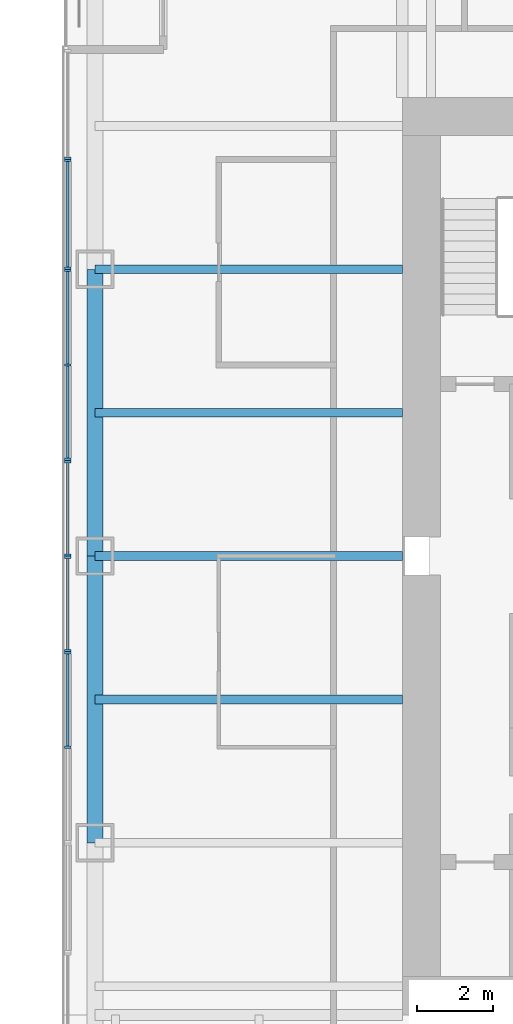
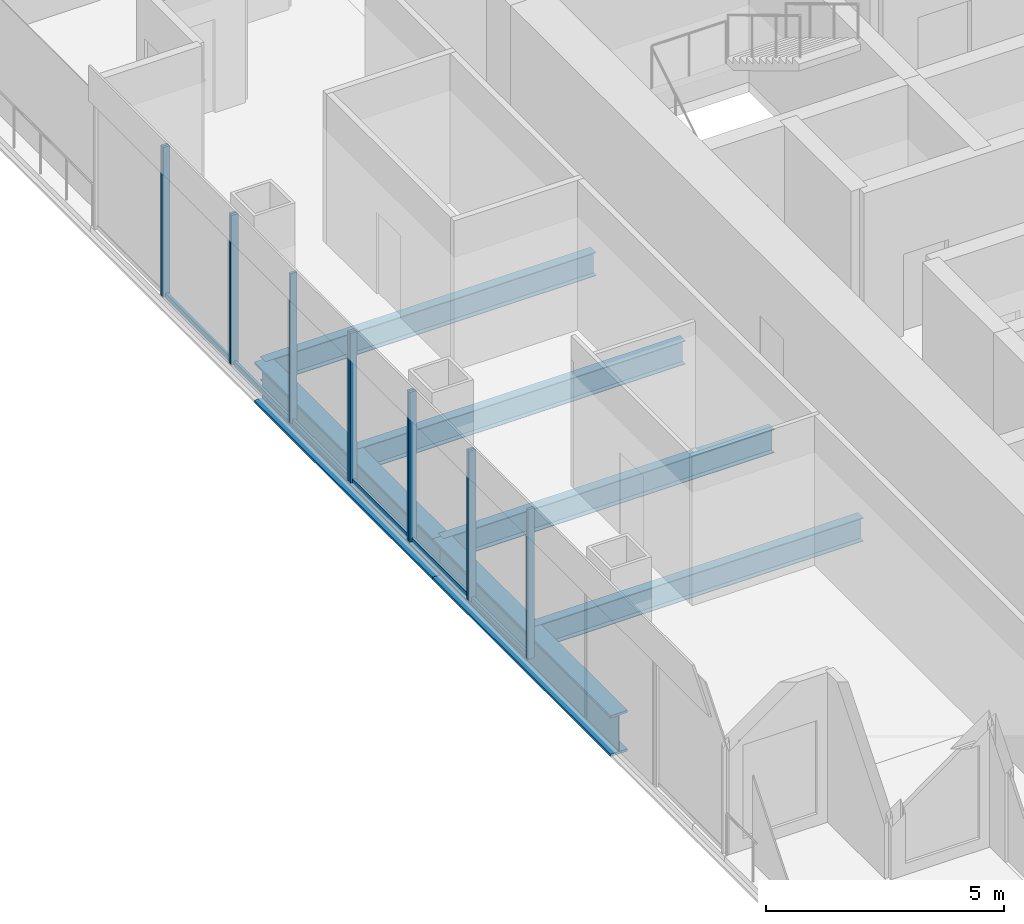
# One storey, part 4 of 14: 18 members, 6 beams, 6 elements without a shape of their own.
"""IFC4 building model written with IfcOpenShell, lengths in metres."""

from ifc_helpers import new_model, si_unit, direction, frame, origin, origin_2d, place, context, subcontext, project, spatial, rectangle, i_section, extrude, material, material_profile, profile_set, type_object, element, aggregate, save


model = new_model("IFC4")

# Units and contexts
model_context = context("Model", 3, precision=1e-05, world=origin(), true_north=direction((0.0, 1.0)))
body_context = subcontext(model_context, "Body", "Model", "MODEL_VIEW")
ifc_project = project(units=[si_unit("LENGTHUNIT", "METRE"), si_unit("AREAUNIT", "SQUARE_METRE"), si_unit("VOLUMEUNIT", "CUBIC_METRE"), si_unit("PLANEANGLEUNIT", "RADIAN"), si_unit("MASSUNIT", "GRAM", prefix="KILO")], contexts=[model_context])

# Site, building, storey
site_placement = place(None, origin())
site = spatial("IfcSite", under=ifc_project, at=site_placement, CompositionType="ELEMENT")
building_placement = place(site_placement, origin())
building = spatial("IfcBuilding", under=site, at=building_placement, Name="Tarangal Relay Tower", CompositionType="ELEMENT")
storey_placement = place(building_placement, frame((0.0, 0.0, 271.89990234375)))
storey = spatial("IfcBuildingStorey", under=building, at=storey_placement, Name="L59", CompositionType="ELEMENT", Elevation=271.89990234375)

# Beams
ifc_material_1 = material(Name="Steel ASTM A992", Category="steel")
ifc_material_profile_1 = material_profile(ifc_material_1, i_section(OverallWidth=0.41162109375, OverallDepth=1.049072265625, WebThickness=0.033935546875, FlangeThickness=0.059814453125, at=origin_2d()), Name="W40X431")
ifc_profile_set_1 = profile_set([ifc_material_profile_1], Name="Steel ASTM A992")
beam_type_1 = type_object("IfcBeamType", Name="Edge girder W40X431", PredefinedType="SPANDREL", material=ifc_profile_set_1)
for number, where, z_axis, x_axis, name in (
    (1, (-20.0400390625, -7.5, -0.67431640625), (0.0, 1.0, 0.0), (-1.0, 0.0, 0.0), "Edge girder EG1 W L59"),
    (2, (-20.0400390625, 0.0, -0.67431640625), (0.0, 1.0, 0.0), (-1.0, 0.0, 0.0), "Edge girder EG1 W L59"),
):
    element("IfcBeam", number, at=place(storey_placement, frame(where, z_axis=z_axis, x_axis=x_axis)), inside=storey, type_object=beam_type_1, Name=name, PredefinedType="SPANDREL", context=body_context, shape_type="SweptSolid", body=[
        extrude(i_section(OverallWidth=0.41162109375, OverallDepth=1.049072265625, WebThickness=0.033935546875, FlangeThickness=0.059814453125, at=origin_2d()), origin(), (0.0, 0.0, 1.0), 7.5),
    ])
ifc_material_profile_2 = material_profile(ifc_material_1, i_section(OverallWidth=0.228271484375, OverallDepth=0.607177734375, WebThickness=0.01123046875, FlangeThickness=0.017333984375, at=origin_2d()), Name="W24X76")
ifc_profile_set_2 = profile_set([ifc_material_profile_2], Name="Steel ASTM A992")
beam_type_2 = type_object("IfcBeamType", Name="Floor beam W24X76", PredefinedType="BEAM", material=ifc_profile_set_2)
for number, where, z_axis, x_axis, name in (
    (3, (-12.0, -3.75, -0.453369140625), (-1.0, 0.0, 0.0), (0.0, -1.0, 0.0), "Floor beam RB5 W L59"),
    (4, (-12.0, 0.0, -0.453369140625), (-1.0, 0.0, 0.0), (0.0, -1.0, 0.0), "Floor beam RB5 W L59"),
    (5, (-12.0, 3.75, -0.453369140625), (-1.0, 0.0, 0.0), (0.0, -1.0, 0.0), "Floor beam RB5 W L59"),
    (6, (-12.0, 7.5, -0.453369140625), (-1.0, 0.0, 0.0), (0.0, -1.0, 0.0), "Floor beam RB5 W L59"),
):
    element("IfcBeam", number, at=place(storey_placement, frame(where, z_axis=z_axis, x_axis=x_axis)), inside=storey, type_object=beam_type_2, Name=name, PredefinedType="BEAM", context=body_context, shape_type="SweptSolid", body=[
        extrude(i_section(OverallWidth=0.228271484375, OverallDepth=0.607177734375, WebThickness=0.01123046875, FlangeThickness=0.017333984375, at=origin_2d()), origin(), (0.0, 0.0, 1.0), 8.0400390625),
    ])

# Curtain wall, members
ifc_material_2 = material(Name="Unitised curtain wall, dark glass and black aluminium", Category="aluminium")
curtain_wall_type_1 = type_object("IfcCurtainWallType", Name="Curtain wall CW-B", PredefinedType="USERDEFINED", material=ifc_material_2)
curtain_wall_1_placement = place(storey_placement, origin())
curtain_wall_1 = element("IfcCurtainWall", 7, at=curtain_wall_1_placement, inside=storey, type_object=curtain_wall_type_1, Name="Curtain wall CW-B W facade L59", ObjectType="UNITISED CURTAIN WALL", PredefinedType="USERDEFINED")
ifc_material_3 = material(Name="Black anodised aluminium mullion", Category="aluminium")
ifc_material_profile_3 = material_profile(ifc_material_3, rectangle(XDim=0.159912109375, YDim=0.06005859375, at=origin_2d()), Name="CW-BM 60X160")
ifc_profile_set_3 = profile_set([ifc_material_profile_3], Name="Black anodised aluminium mullion")
member_type_1 = type_object("IfcMemberType", Name="Mullion CW-B 60 x 160", PredefinedType="MULLION", material=ifc_profile_set_3)
member_1_placement = place(storey_placement, frame((-20.75, -2.469970703125, 0.0), z_axis=(0.0, 0.0, 1.0), x_axis=(-1.0, 0.0, 0.0)))
member_1 = element("IfcMember", 8, at=member_1_placement, type_object=member_type_1, Name="CW-B mullion 1", PredefinedType="MULLION", context=body_context, shape_type="SweptSolid", body=[
    extrude(rectangle(XDim=0.159912109375, YDim=0.06005859375, at=origin_2d()), origin(), (0.0, 0.0, 1.0), 3.85009765625),
])
member_2_placement = place(storey_placement, frame((-20.75, -0.030029296875, 0.0), z_axis=(0.0, 0.0, 1.0), x_axis=(-1.0, 0.0, 0.0)))
member_2 = element("IfcMember", 9, at=member_2_placement, type_object=member_type_1, Name="CW-B mullion 2", PredefinedType="MULLION", context=body_context, shape_type="SweptSolid", body=[
    extrude(rectangle(XDim=0.159912109375, YDim=0.06005859375, at=origin_2d()), origin(), (0.0, 0.0, 1.0), 3.85009765625),
])

curtain_wall_2_placement = place(storey_placement, origin())
curtain_wall_2 = element("IfcCurtainWall", 10, at=curtain_wall_2_placement, inside=storey, type_object=curtain_wall_type_1, Name="Curtain wall CW-B W facade L59", ObjectType="UNITISED CURTAIN WALL", PredefinedType="USERDEFINED")
member_3_placement = place(storey_placement, frame((-20.75, 0.030029296875, 0.0), z_axis=(0.0, 0.0, 1.0), x_axis=(-1.0, 0.0, 0.0)))
member_3 = element("IfcMember", 11, at=member_3_placement, type_object=member_type_1, Name="CW-B mullion 1", PredefinedType="MULLION", context=body_context, shape_type="SweptSolid", body=[
    extrude(rectangle(XDim=0.159912109375, YDim=0.06005859375, at=origin_2d()), origin(), (0.0, 0.0, 1.0), 3.85009765625),
])
member_4_placement = place(storey_placement, frame((-20.75, 2.469970703125, 0.0), z_axis=(0.0, 0.0, 1.0), x_axis=(-1.0, 0.0, 0.0)))
member_4 = element("IfcMember", 12, at=member_4_placement, type_object=member_type_1, Name="CW-B mullion 2", PredefinedType="MULLION", context=body_context, shape_type="SweptSolid", body=[
    extrude(rectangle(XDim=0.159912109375, YDim=0.06005859375, at=origin_2d()), origin(), (0.0, 0.0, 1.0), 3.85009765625),
])

# Curtain wall, member
curtain_wall_3_placement = place(storey_placement, origin())
curtain_wall_3 = element("IfcCurtainWall", 13, at=curtain_wall_3_placement, inside=storey, type_object=curtain_wall_type_1, Name="Curtain wall CW-B W facade L59", ObjectType="UNITISED CURTAIN WALL", PredefinedType="USERDEFINED")
member_5_placement = place(storey_placement, frame((-20.75, 10.405029296875, 0.0), z_axis=(0.0, 0.0, 1.0), x_axis=(-1.0, 0.0, 0.0)))
member_5 = element("IfcMember", 14, at=member_5_placement, type_object=member_type_1, Name="CW-B mullion 1", PredefinedType="MULLION", context=body_context, shape_type="SweptSolid", body=[
    extrude(rectangle(XDim=0.159912109375, YDim=0.06005859375, at=origin_2d()), origin(), (0.0, 0.0, 1.0), 3.85009765625),
])
aggregate(curtain_wall_3, [member_5])

# Curtain wall, members
ifc_material_4 = material(Name="Unitised curtain wall frame, black aluminium, with metal clad infill walls", Category="aluminium")
curtain_wall_type_2 = type_object("IfcCurtainWallType", Name="Curtain wall CW-BO", PredefinedType="USERDEFINED", material=ifc_material_4)
curtain_wall_4_placement = place(storey_placement, origin())
curtain_wall_4 = element("IfcCurtainWall", 15, at=curtain_wall_4_placement, inside=storey, type_object=curtain_wall_type_2, Name="Curtain wall CW-BO W facade L59", ObjectType="UNITISED CURTAIN WALL", PredefinedType="USERDEFINED")
ifc_material_profile_4 = material_profile(ifc_material_3, rectangle(XDim=0.159912109375, YDim=0.06005859375, at=origin_2d()), Name="CW-BOM 60X160")
ifc_profile_set_4 = profile_set([ifc_material_profile_4], Name="Black anodised aluminium mullion")
member_type_2 = type_object("IfcMemberType", Name="Mullion CW-BO 60 x 160", PredefinedType="MULLION", material=ifc_profile_set_4)
member_6_placement = place(storey_placement, frame((-20.75, -5.0, 0.0), z_axis=(0.0, 0.0, 1.0), x_axis=(-1.0, 0.0, 0.0)))
member_6 = element("IfcMember", 16, at=member_6_placement, type_object=member_type_2, Name="CW-BO mullion 2", PredefinedType="MULLION", context=body_context, shape_type="SweptSolid", body=[
    extrude(rectangle(XDim=0.159912109375, YDim=0.06005859375, at=origin_2d()), origin(), (0.0, 0.0, 1.0), 3.85009765625),
])
member_7_placement = place(storey_placement, frame((-20.75, -2.530029296875, 0.0), z_axis=(0.0, 0.0, 1.0), x_axis=(-1.0, 0.0, 0.0)))
member_7 = element("IfcMember", 17, at=member_7_placement, type_object=member_type_2, Name="CW-BO mullion 3", PredefinedType="MULLION", context=body_context, shape_type="SweptSolid", body=[
    extrude(rectangle(XDim=0.159912109375, YDim=0.06005859375, at=origin_2d()), origin(), (0.0, 0.0, 1.0), 3.85009765625),
])

curtain_wall_5_placement = place(storey_placement, origin())
curtain_wall_5 = element("IfcCurtainWall", 18, at=curtain_wall_5_placement, inside=storey, type_object=curtain_wall_type_2, Name="Curtain wall CW-BO W facade L59", ObjectType="UNITISED CURTAIN WALL", PredefinedType="USERDEFINED")
member_8_placement = place(storey_placement, frame((-20.75, 2.530029296875, 0.0), z_axis=(0.0, 0.0, 1.0), x_axis=(-1.0, 0.0, 0.0)))
member_8 = element("IfcMember", 19, at=member_8_placement, type_object=member_type_2, Name="CW-BO mullion 1", PredefinedType="MULLION", context=body_context, shape_type="SweptSolid", body=[
    extrude(rectangle(XDim=0.159912109375, YDim=0.06005859375, at=origin_2d()), origin(), (0.0, 0.0, 1.0), 3.85009765625),
])
member_9_placement = place(storey_placement, frame((-20.75, 5.0, 0.0), z_axis=(0.0, 0.0, 1.0), x_axis=(-1.0, 0.0, 0.0)))
member_9 = element("IfcMember", 20, at=member_9_placement, type_object=member_type_2, Name="CW-BO mullion 2", PredefinedType="MULLION", context=body_context, shape_type="SweptSolid", body=[
    extrude(rectangle(XDim=0.159912109375, YDim=0.06005859375, at=origin_2d()), origin(), (0.0, 0.0, 1.0), 3.85009765625),
])
member_10_placement = place(storey_placement, frame((-20.75, 7.469970703125, 0.0), z_axis=(0.0, 0.0, 1.0), x_axis=(-1.0, 0.0, 0.0)))
member_10 = element("IfcMember", 21, at=member_10_placement, type_object=member_type_2, Name="CW-BO mullion 3", PredefinedType="MULLION", context=body_context, shape_type="SweptSolid", body=[
    extrude(rectangle(XDim=0.159912109375, YDim=0.06005859375, at=origin_2d()), origin(), (0.0, 0.0, 1.0), 3.85009765625),
])

curtain_wall_6_placement = place(storey_placement, origin())
curtain_wall_6 = element("IfcCurtainWall", 22, at=curtain_wall_6_placement, inside=storey, type_object=curtain_wall_type_2, Name="Curtain wall CW-BO W facade L59", ObjectType="UNITISED CURTAIN WALL", PredefinedType="USERDEFINED")
member_11_placement = place(storey_placement, frame((-20.75, 7.530029296875, 0.0), z_axis=(0.0, 0.0, 1.0), x_axis=(-1.0, 0.0, 0.0)))
member_11 = element("IfcMember", 23, at=member_11_placement, type_object=member_type_2, Name="CW-BO mullion 1", PredefinedType="MULLION", context=body_context, shape_type="SweptSolid", body=[
    extrude(rectangle(XDim=0.159912109375, YDim=0.06005859375, at=origin_2d()), origin(), (0.0, 0.0, 1.0), 3.85009765625),
])
member_12_placement = place(storey_placement, frame((-20.75, 10.344970703125, 0.0), z_axis=(0.0, 0.0, 1.0), x_axis=(-1.0, 0.0, 0.0)))
member_12 = element("IfcMember", 24, at=member_12_placement, type_object=member_type_2, Name="CW-BO mullion 2", PredefinedType="MULLION", context=body_context, shape_type="SweptSolid", body=[
    extrude(rectangle(XDim=0.159912109375, YDim=0.06005859375, at=origin_2d()), origin(), (0.0, 0.0, 1.0), 3.85009765625),
])

# Member
ifc_material_5 = material(Name="Black anodised aluminium transom", Category="aluminium")
ifc_material_profile_5 = material_profile(ifc_material_5, rectangle(XDim=0.06005859375, YDim=0.1298828125, at=origin_2d()), Name="CW-BT 60X130")
ifc_profile_set_5 = profile_set([ifc_material_profile_5], Name="Black anodised aluminium transom")
member_type_3 = type_object("IfcMemberType", Name="Transom CW-B 60 x 130", PredefinedType="USERDEFINED", material=ifc_profile_set_5)
member_13_placement = place(storey_placement, frame((-20.75, -2.43994140625, 0.030029296875), z_axis=(0.0, 1.0, 0.0), x_axis=(-1.0, 0.0, 0.0)))
member_13 = element("IfcMember", 25, at=member_13_placement, type_object=member_type_3, Name="CW-B transom 1.1", ObjectType="TRANSOM", PredefinedType="USERDEFINED", context=body_context, shape_type="SweptSolid", body=[
    extrude(rectangle(XDim=0.06005859375, YDim=0.1298828125, at=origin_2d()), origin(), (0.0, 0.0, 1.0), 2.3798828125),
])

aggregate(curtain_wall_1, [member_1, member_2, member_13])

member_14_placement = place(storey_placement, frame((-20.75, 0.06005859375, 0.030029296875), z_axis=(0.0, 1.0, 0.0), x_axis=(-1.0, 0.0, 0.0)))
member_14 = element("IfcMember", 26, at=member_14_placement, type_object=member_type_3, Name="CW-B transom 1.1", ObjectType="TRANSOM", PredefinedType="USERDEFINED", context=body_context, shape_type="SweptSolid", body=[
    extrude(rectangle(XDim=0.06005859375, YDim=0.1298828125, at=origin_2d()), origin(), (0.0, 0.0, 1.0), 2.3798828125),
])

aggregate(curtain_wall_2, [member_3, member_4, member_14])

ifc_material_profile_6 = material_profile(ifc_material_5, rectangle(XDim=0.06005859375, YDim=0.1298828125, at=origin_2d()), Name="CW-BOT 60X130")
ifc_profile_set_6 = profile_set([ifc_material_profile_6], Name="Black anodised aluminium transom")
member_type_4 = type_object("IfcMemberType", Name="Transom CW-BO 60 x 130", PredefinedType="USERDEFINED", material=ifc_profile_set_6)
member_15_placement = place(storey_placement, frame((-20.75, -4.969970703125, 0.030029296875), z_axis=(0.0, 1.0, 0.0), x_axis=(-1.0, 0.0, 0.0)))
member_15 = element("IfcMember", 27, at=member_15_placement, type_object=member_type_4, Name="CW-BO transom 2.1", ObjectType="TRANSOM", PredefinedType="USERDEFINED", context=body_context, shape_type="SweptSolid", body=[
    extrude(rectangle(XDim=0.06005859375, YDim=0.1298828125, at=origin_2d()), origin(), (0.0, 0.0, 1.0), 2.409912109375),
])

aggregate(curtain_wall_4, [member_6, member_7, member_15])

member_16_placement = place(storey_placement, frame((-20.75, 2.56005859375, 0.030029296875), z_axis=(0.0, 1.0, 0.0), x_axis=(-1.0, 0.0, 0.0)))
member_16 = element("IfcMember", 28, at=member_16_placement, type_object=member_type_4, Name="CW-BO transom 1.1", ObjectType="TRANSOM", PredefinedType="USERDEFINED", context=body_context, shape_type="SweptSolid", body=[
    extrude(rectangle(XDim=0.06005859375, YDim=0.1298828125, at=origin_2d()), origin(), (0.0, 0.0, 1.0), 2.409912109375),
])

member_17_placement = place(storey_placement, frame((-20.75, 5.030029296875, 0.030029296875), z_axis=(0.0, 1.0, 0.0), x_axis=(-1.0, 0.0, 0.0)))
member_17 = element("IfcMember", 29, at=member_17_placement, type_object=member_type_4, Name="CW-BO transom 2.1", ObjectType="TRANSOM", PredefinedType="USERDEFINED", context=body_context, shape_type="SweptSolid", body=[
    extrude(rectangle(XDim=0.06005859375, YDim=0.1298828125, at=origin_2d()), origin(), (0.0, 0.0, 1.0), 2.409912109375),
])

aggregate(curtain_wall_5, [member_8, member_9, member_10, member_16, member_17])

member_18_placement = place(storey_placement, frame((-20.75, 7.56005859375, 0.030029296875), z_axis=(0.0, 1.0, 0.0), x_axis=(-1.0, 0.0, 0.0)))
member_18 = element("IfcMember", 30, at=member_18_placement, type_object=member_type_4, Name="CW-BO transom 1.1", ObjectType="TRANSOM", PredefinedType="USERDEFINED", context=body_context, shape_type="SweptSolid", body=[
    extrude(rectangle(XDim=0.06005859375, YDim=0.1298828125, at=origin_2d()), origin(), (0.0, 0.0, 1.0), 2.7548828125),
])

aggregate(curtain_wall_6, [member_11, member_12, member_18])

save(model, "model.ifc")
